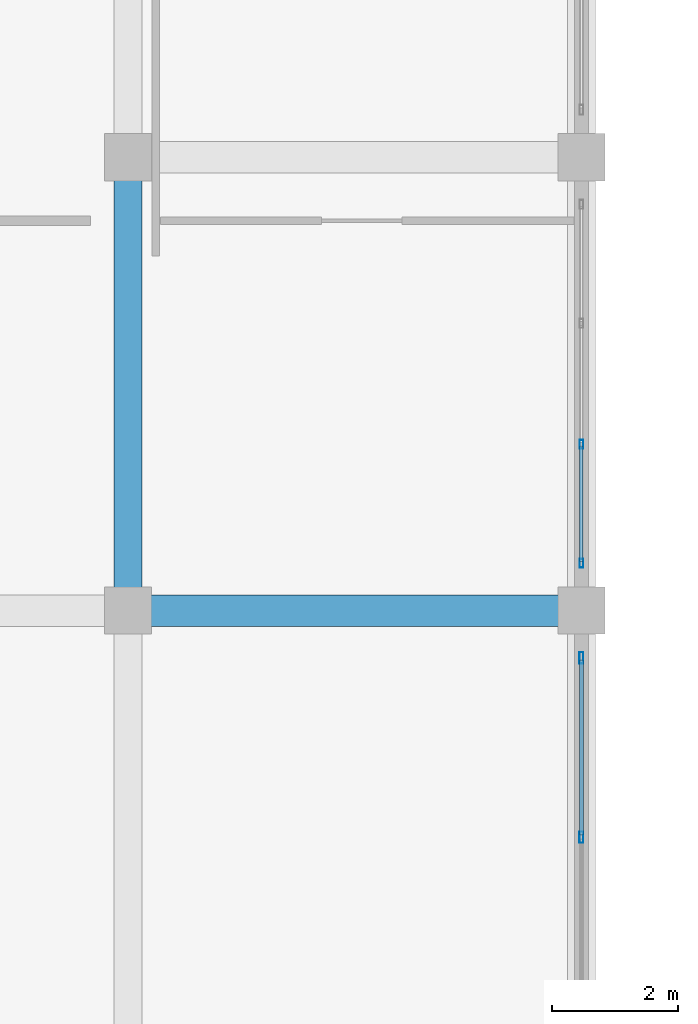
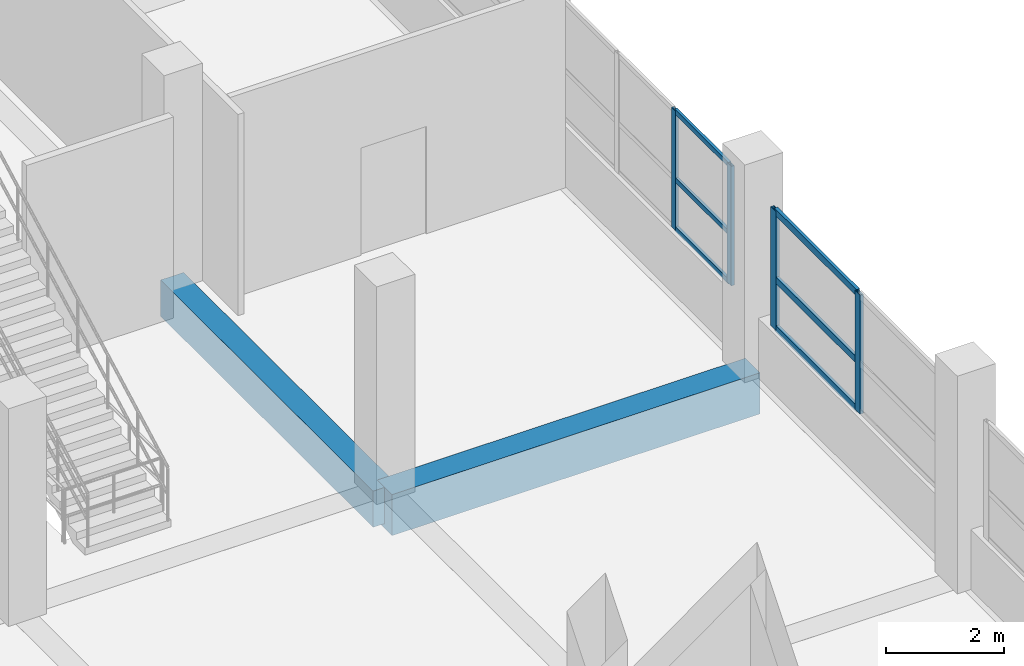
# One storey, part 55 of 141: 10 members, 2 beams, 2 elements without a shape of their own.
"""IFC4 building model written with IfcOpenShell, lengths in metres."""

from ifc_helpers import new_model, si_unit, direction, frame, origin, origin_2d, place, context, subcontext, project, spatial, rectangle, hollow_rectangle, extrude, material, layer, layer_set, material_profile, profile_set, type_object, element, aggregate, save


model = new_model("IFC4")

# Units and contexts
model_context = context("Model", 3, precision=1e-05, world=origin(), true_north=direction((0.0, 1.0)))
body_context = subcontext(model_context, "Body", "Model", "MODEL_VIEW")
ifc_project = project(units=[si_unit("LENGTHUNIT", "METRE"), si_unit("AREAUNIT", "SQUARE_METRE"), si_unit("VOLUMEUNIT", "CUBIC_METRE"), si_unit("PLANEANGLEUNIT", "RADIAN"), si_unit("MASSUNIT", "GRAM", prefix="KILO")], contexts=[model_context])

# Site, building, storey
site_placement = place(None, origin())
site = spatial("IfcSite", under=ifc_project, at=site_placement, CompositionType="ELEMENT")
building_placement = place(site_placement, origin())
building = spatial("IfcBuilding", under=site, at=building_placement, Name="Seraya Terrace Polytechnic", CompositionType="ELEMENT")
storey_placement = place(building_placement, frame((0.0, 0.0, 14.39990234375)))
storey = spatial("IfcBuildingStorey", under=building, at=storey_placement, Name="L03", CompositionType="ELEMENT", Elevation=14.39990234375)

# Beams
ifc_material_1 = material(Name="Concrete C40/50", Category="concrete")
ifc_material_profile_1 = material_profile(ifc_material_1, rectangle(XDim=0.5, YDim=0.85009765625, at=origin_2d()), Name="RC 500x850")
ifc_profile_set_1 = profile_set([ifc_material_profile_1], Name="Concrete C40/50")
beam_type_1 = type_object("IfcBeamType", Name="BM-05", PredefinedType="BEAM", material=ifc_profile_set_1)
beam_1_placement = place(storey_placement, frame((100.800048828125, 50.39990234375, -0.4248046875), z_axis=(1.0, 0.0, 0.0), x_axis=(0.0, 1.0, 0.0)))
element("IfcBeam", 1, at=beam_1_placement, inside=storey, type_object=beam_type_1, Name="Beam BM-05 L03 X (100.8..108.0, 50.4)", PredefinedType="BEAM", context=body_context, shape_type="SweptSolid", body=[
    extrude(rectangle(XDim=0.5, YDim=0.85009765625, at=origin_2d()), origin(), (0.0, 0.0, 1.0), 7.199951171875),
])
ifc_material_profile_2 = material_profile(ifc_material_1, rectangle(XDim=0.449951171875, YDim=0.75, at=origin_2d()), Name="RC 450x750")
ifc_profile_set_2 = profile_set([ifc_material_profile_2], Name="Concrete C40/50")
beam_type_2 = type_object("IfcBeamType", Name="BM-08", PredefinedType="BEAM", material=ifc_profile_set_2)
beam_2_placement = place(storey_placement, frame((100.800048828125, 50.39990234375, -0.375), z_axis=(0.0, 1.0, 0.0), x_axis=(-1.0, 0.0, 0.0)))
element("IfcBeam", 2, at=beam_2_placement, inside=storey, type_object=beam_type_2, Name="Beam BM-08 L03 Y (100.8, 50.4..57.6)", PredefinedType="BEAM", context=body_context, shape_type="SweptSolid", body=[
    extrude(rectangle(XDim=0.449951171875, YDim=0.75, at=origin_2d()), origin(), (0.0, 0.0, 1.0), 7.2001953125),
])

# Curtain wall, members
ifc_material_2 = material(Name="Anodised aluminium EN AW-6063 T6", Category="aluminium")
ifc_layer_1 = layer(ifc_material_2, 0.179931640625, Name="CW-22")
ifc_layer_set_1 = layer_set([ifc_layer_1], Name="Anodised aluminium EN AW-6063 T6")
curtain_wall_type_1 = type_object("IfcCurtainWallType", Name="CW-22", PredefinedType="NOTDEFINED", material=ifc_layer_set_1)
curtain_wall_1_placement = place(storey_placement, origin())
curtain_wall_1 = element("IfcCurtainWall", 3, at=curtain_wall_1_placement, inside=storey, type_object=curtain_wall_type_1, Name="Unitised curtain wall CW-22 (CW-L03-130)", PredefinedType="NOTDEFINED")
ifc_material_profile_3 = material_profile(ifc_material_2, hollow_rectangle(XDim=0.06494140625, YDim=0.179931640625, WallThickness=0.00390625, at=origin_2d()), Name="RHS 180x65x4.0")
ifc_profile_set_3 = profile_set([ifc_material_profile_3], Name="Anodised aluminium EN AW-6063 T6")
member_type_1 = type_object("IfcMemberType", Name="CWM-01", PredefinedType="MULLION", material=ifc_profile_set_3)
member_1_placement = place(storey_placement, frame((108.0, 49.6474609375, 1.239990234375), z_axis=(0.0, 0.0, 1.0), x_axis=(1.0, 0.0, 0.0)))
member_1 = element("IfcMember", 4, at=member_1_placement, type_object=member_type_1, Name="CW-22 mullion 1", PredefinedType="MULLION", context=body_context, shape_type="SweptSolid", body=[
    extrude(hollow_rectangle(XDim=0.06494140625, YDim=0.179931640625, WallThickness=0.00390625, at=origin_2d()), origin(), (0.0, 0.0, 1.0), 2.460205078125),
])
member_2_placement = place(storey_placement, frame((108.0, 46.800048828125, 1.239990234375), z_axis=(0.0, 0.0, 1.0), x_axis=(1.0, 0.0, 0.0)))
member_2 = element("IfcMember", 5, at=member_2_placement, type_object=member_type_1, Name="CW-22 mullion 2", PredefinedType="MULLION", context=body_context, shape_type="SweptSolid", body=[
    extrude(hollow_rectangle(XDim=0.06494140625, YDim=0.179931640625, WallThickness=0.00390625, at=origin_2d()), origin(), (0.0, 0.0, 1.0), 2.460205078125),
])

ifc_layer_2 = layer(ifc_material_2, 0.179931640625, Name="CW-21")
ifc_layer_set_2 = layer_set([ifc_layer_2], Name="Anodised aluminium EN AW-6063 T6")
curtain_wall_type_2 = type_object("IfcCurtainWallType", Name="CW-21", PredefinedType="NOTDEFINED", material=ifc_layer_set_2)
curtain_wall_2_placement = place(storey_placement, origin())
curtain_wall_2 = element("IfcCurtainWall", 6, at=curtain_wall_2_placement, inside=storey, type_object=curtain_wall_type_2, Name="Unitised curtain wall CW-21 (CW-L03-129)", PredefinedType="NOTDEFINED")
ifc_material_profile_4 = material_profile(ifc_material_2, hollow_rectangle(XDim=0.06005859375, YDim=0.139892578125, WallThickness=0.00341796875, at=origin_2d()), Name="RHS 140x60x3.5")
ifc_profile_set_4 = profile_set([ifc_material_profile_4], Name="Anodised aluminium EN AW-6063 T6")
member_type_2 = type_object("IfcMemberType", Name="CWM-03", PredefinedType="MULLION", material=ifc_profile_set_4)
member_3_placement = place(storey_placement, frame((108.0, 53.0400390625, 1.239990234375), z_axis=(0.0, 0.0, 1.0), x_axis=(1.0, 0.0, 0.0)))
member_3 = element("IfcMember", 7, at=member_3_placement, type_object=member_type_2, Name="CW-21 mullion 3", PredefinedType="MULLION", context=body_context, shape_type="SweptSolid", body=[
    extrude(hollow_rectangle(XDim=0.06005859375, YDim=0.139892578125, WallThickness=0.00341796875, at=origin_2d()), origin(), (0.0, 0.0, 1.0), 2.47021484375),
])
member_4_placement = place(storey_placement, frame((108.0, 51.14990234375, 1.239990234375), z_axis=(0.0, 0.0, 1.0), x_axis=(1.0, 0.0, 0.0)))
member_4 = element("IfcMember", 8, at=member_4_placement, type_object=member_type_2, Name="CW-21 mullion 4", PredefinedType="MULLION", context=body_context, shape_type="SweptSolid", body=[
    extrude(hollow_rectangle(XDim=0.06005859375, YDim=0.139892578125, WallThickness=0.00341796875, at=origin_2d()), origin(), (0.0, 0.0, 1.0), 2.47021484375),
])

# Member
ifc_material_profile_5 = material_profile(ifc_material_2, hollow_rectangle(XDim=0.06005859375, YDim=0.139892578125, WallThickness=0.00341796875, at=origin_2d()), Name="RHS 140x60x3.5")
ifc_profile_set_5 = profile_set([ifc_material_profile_5], Name="Anodised aluminium EN AW-6063 T6")
member_type_3 = type_object("IfcMemberType", Name="CWT-01", PredefinedType="USERDEFINED", material=ifc_profile_set_5)
member_5_placement = place(storey_placement, frame((108.0, 49.614990234375, 1.27001953125), z_axis=(0.0, -1.0, 0.0), x_axis=(1.0, 0.0, 0.0)))
member_5 = element("IfcMember", 9, at=member_5_placement, type_object=member_type_3, Name="CW-22 transom 1.1", ObjectType="TRANSOM", PredefinedType="USERDEFINED", context=body_context, shape_type="SweptSolid", body=[
    extrude(hollow_rectangle(XDim=0.06005859375, YDim=0.139892578125, WallThickness=0.00341796875, at=origin_2d()), origin(), (0.0, 0.0, 1.0), 2.782470703125),
])

member_6_placement = place(storey_placement, frame((108.0, 49.614990234375, 2.273193359375), z_axis=(0.0, -1.0, 0.0), x_axis=(1.0, 0.0, 0.0)))
member_6 = element("IfcMember", 10, at=member_6_placement, type_object=member_type_3, Name="CW-22 transom 1.2", ObjectType="TRANSOM", PredefinedType="USERDEFINED", context=body_context, shape_type="SweptSolid", body=[
    extrude(hollow_rectangle(XDim=0.06005859375, YDim=0.139892578125, WallThickness=0.00341796875, at=origin_2d()), origin(), (0.0, 0.0, 1.0), 2.782470703125),
])

member_7_placement = place(storey_placement, frame((108.0, 49.614990234375, 3.670166015625), z_axis=(0.0, -1.0, 0.0), x_axis=(1.0, 0.0, 0.0)))
member_7 = element("IfcMember", 11, at=member_7_placement, type_object=member_type_3, Name="CW-22 transom 1.3", ObjectType="TRANSOM", PredefinedType="USERDEFINED", context=body_context, shape_type="SweptSolid", body=[
    extrude(hollow_rectangle(XDim=0.06005859375, YDim=0.139892578125, WallThickness=0.00341796875, at=origin_2d()), origin(), (0.0, 0.0, 1.0), 2.782470703125),
])

aggregate(curtain_wall_1, [member_1, member_2, member_5, member_6, member_7])

ifc_material_profile_6 = material_profile(ifc_material_2, hollow_rectangle(XDim=0.054931640625, YDim=0.10009765625, WallThickness=0.0029296875, at=origin_2d()), Name="RHS 100x55x3.0")
ifc_profile_set_6 = profile_set([ifc_material_profile_6], Name="Anodised aluminium EN AW-6063 T6")
member_type_4 = type_object("IfcMemberType", Name="CWT-03", PredefinedType="USERDEFINED", material=ifc_profile_set_6)
member_8_placement = place(storey_placement, frame((108.0, 53.010009765625, 1.267578125), z_axis=(0.0, -1.0, 0.0), x_axis=(1.0, 0.0, 0.0)))
member_8 = element("IfcMember", 12, at=member_8_placement, type_object=member_type_4, Name="CW-21 transom 3.1", ObjectType="TRANSOM", PredefinedType="USERDEFINED", context=body_context, shape_type="SweptSolid", body=[
    extrude(hollow_rectangle(XDim=0.054931640625, YDim=0.10009765625, WallThickness=0.0029296875, at=origin_2d()), origin(), (0.0, 0.0, 1.0), 1.830078125),
])

member_9_placement = place(storey_placement, frame((108.0, 53.010009765625, 2.277587890625), z_axis=(0.0, -1.0, 0.0), x_axis=(1.0, 0.0, 0.0)))
member_9 = element("IfcMember", 13, at=member_9_placement, type_object=member_type_4, Name="CW-21 transom 3.2", ObjectType="TRANSOM", PredefinedType="USERDEFINED", context=body_context, shape_type="SweptSolid", body=[
    extrude(hollow_rectangle(XDim=0.054931640625, YDim=0.10009765625, WallThickness=0.0029296875, at=origin_2d()), origin(), (0.0, 0.0, 1.0), 1.830078125),
])

member_10_placement = place(storey_placement, frame((108.0, 53.010009765625, 3.6826171875), z_axis=(0.0, -1.0, 0.0), x_axis=(1.0, 0.0, 0.0)))
member_10 = element("IfcMember", 14, at=member_10_placement, type_object=member_type_4, Name="CW-21 transom 3.3", ObjectType="TRANSOM", PredefinedType="USERDEFINED", context=body_context, shape_type="SweptSolid", body=[
    extrude(hollow_rectangle(XDim=0.054931640625, YDim=0.10009765625, WallThickness=0.0029296875, at=origin_2d()), origin(), (0.0, 0.0, 1.0), 1.830078125),
])

aggregate(curtain_wall_2, [member_3, member_4, member_8, member_9, member_10])

save(model, "model.ifc")
